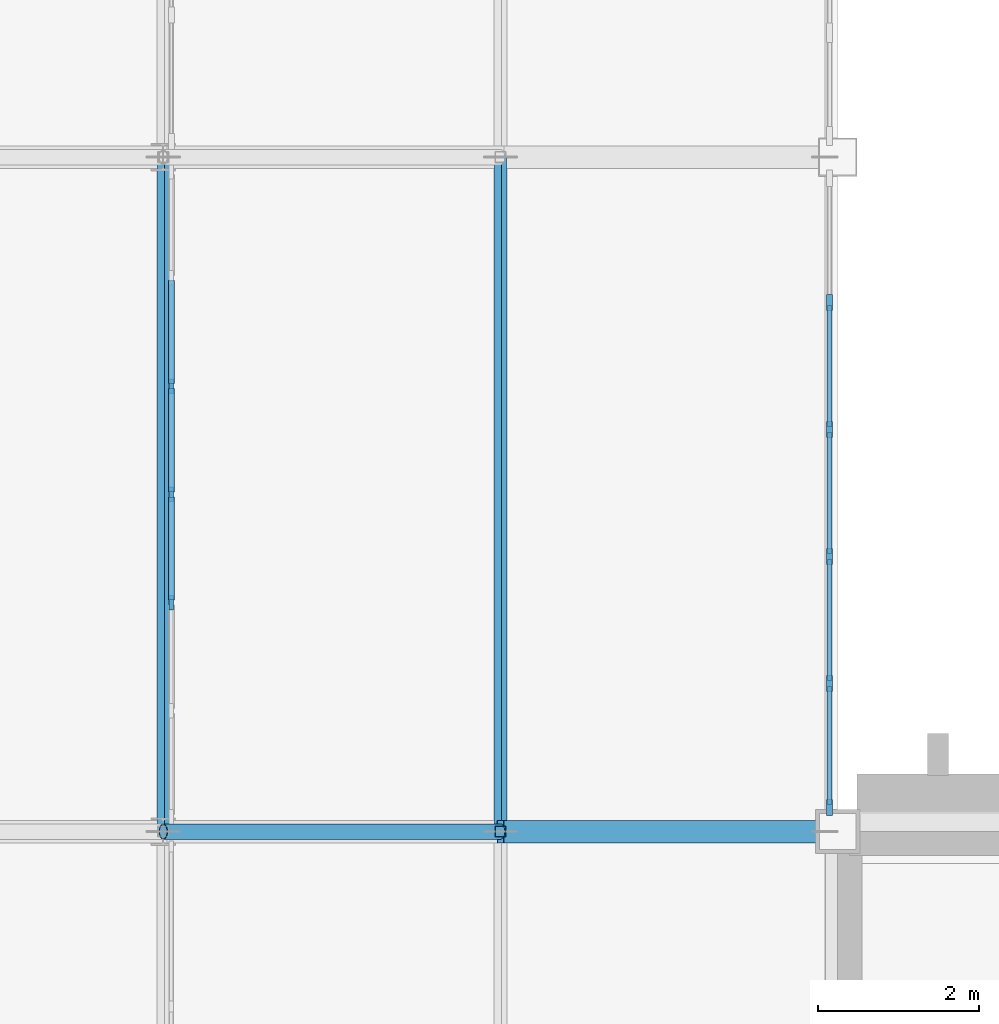
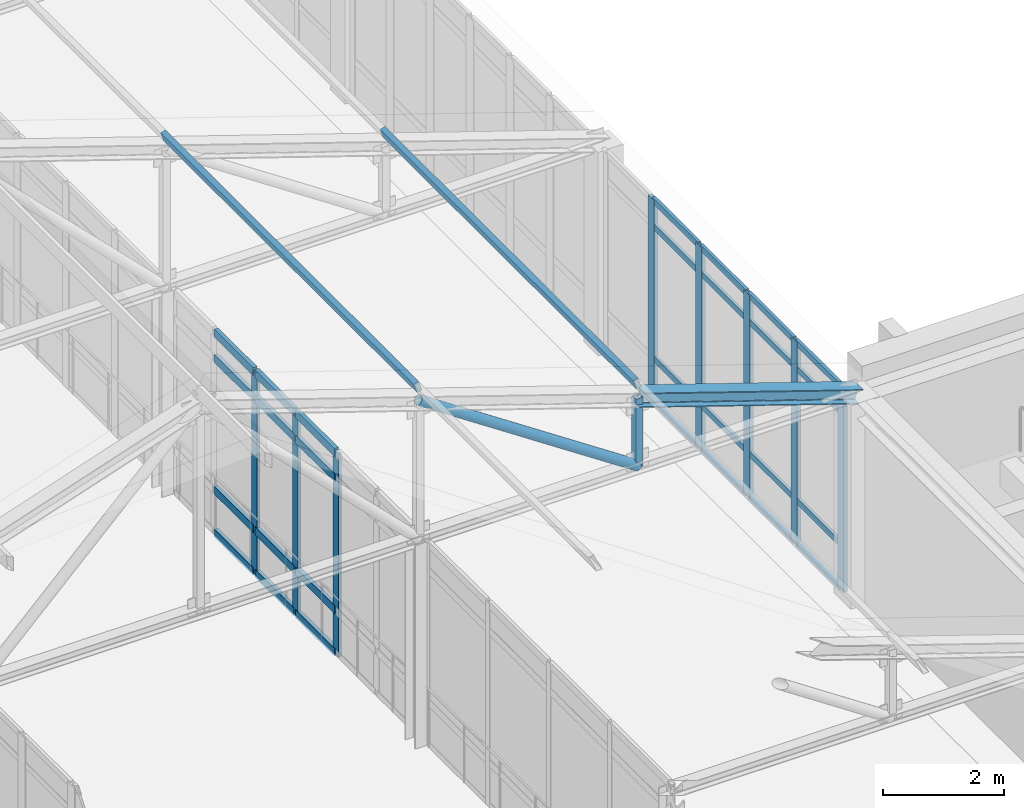
# One storey, part 58 of 192: 41 members, 2 elements without a shape of their own.
"""IFC4 building model written with IfcOpenShell, lengths in metres."""

from ifc_helpers import new_model, si_unit, direction, frame, origin, origin_2d, place, context, subcontext, project, spatial, rectangle, hollow_rectangle, hollow_circle, i_section, extrude, material, layer, layer_set, material_profile, profile_set, type_object, element, aggregate, save


model = new_model("IFC4")

# Units and contexts
model_context = context("Model", 3, precision=1e-05, world=origin(), true_north=direction((0.0, 1.0)))
body_context = subcontext(model_context, "Body", "Model", "MODEL_VIEW")
ifc_project = project(units=[si_unit("LENGTHUNIT", "METRE"), si_unit("AREAUNIT", "SQUARE_METRE"), si_unit("VOLUMEUNIT", "CUBIC_METRE"), si_unit("PLANEANGLEUNIT", "RADIAN"), si_unit("MASSUNIT", "GRAM", prefix="KILO")], contexts=[model_context])

# Site, building, storey
site_placement = place(None, origin())
site = spatial("IfcSite", under=ifc_project, at=site_placement, CompositionType="ELEMENT")
building_placement = place(site_placement, origin())
building = spatial("IfcBuilding", under=site, at=building_placement, Name="Kveldsbrygga Polytechnic", CompositionType="ELEMENT")
storey_placement = place(building_placement, frame((0.0, 0.0, 5.43994140625)))
storey = spatial("IfcBuildingStorey", under=building, at=storey_placement, Name="L01", CompositionType="ELEMENT", Elevation=5.43994140625)

# Curtain wall, members
ifc_material_1 = material(Name="Anodised aluminium AW-6060", Category="aluminium")
ifc_layer_1 = layer(ifc_material_1, 0.169921875)
ifc_layer_set_1 = layer_set([ifc_layer_1], Name="Anodised aluminium AW-6060")
curtain_wall_type_1 = type_object("IfcCurtainWallType", Name="CW-FOYR-F", PredefinedType="USERDEFINED", material=ifc_layer_set_1)
curtain_wall_1_placement = place(storey_placement, origin())
curtain_wall_1 = element("IfcCurtainWall", 1, at=curtain_wall_1_placement, inside=storey, type_object=curtain_wall_type_1, Name="Curtain Wall CW-L01-Y-08-03", ObjectType="STICK CURTAIN WALL", PredefinedType="USERDEFINED")
ifc_material_profile_1 = material_profile(ifc_material_1, rectangle(XDim=0.06005859375, YDim=0.179931640625, at=origin_2d()), Name="ALU 60x180")
ifc_profile_set_1 = profile_set([ifc_material_profile_1], Name="Anodised aluminium AW-6060")
member_type_1 = type_object("IfcMemberType", Name="CW-MUL-180", PredefinedType="MULLION", material=ifc_profile_set_1)
member_1_placement = place(storey_placement, frame((67.300048828125, 28.0517578125, 0.0), z_axis=(0.0, 0.0, 1.0), x_axis=(-1.0, 0.0, 0.0)))
member_1 = element("IfcMember", 2, at=member_1_placement, type_object=member_type_1, Name="CW-06 mullion 3", PredefinedType="MULLION", context=body_context, shape_type="SweptSolid", body=[
    extrude(rectangle(XDim=0.06005859375, YDim=0.179931640625, at=origin_2d()), origin(), (0.0, 0.0, 1.0), 4.1201171875),
])
member_2_placement = place(storey_placement, frame((67.300048828125, 29.39990234375, 0.0), z_axis=(0.0, 0.0, 1.0), x_axis=(-1.0, 0.0, 0.0)))
member_2 = element("IfcMember", 3, at=member_2_placement, type_object=member_type_1, Name="CW-06 mullion 4", PredefinedType="MULLION", context=body_context, shape_type="SweptSolid", body=[
    extrude(rectangle(XDim=0.06005859375, YDim=0.179931640625, at=origin_2d()), origin(), (0.0, 0.0, 1.0), 4.1201171875),
])
member_3_placement = place(storey_placement, frame((67.300048828125, 30.748291015625, 0.0), z_axis=(0.0, 0.0, 1.0), x_axis=(-1.0, 0.0, 0.0)))
member_3 = element("IfcMember", 4, at=member_3_placement, type_object=member_type_1, Name="CW-06 mullion 5", PredefinedType="MULLION", context=body_context, shape_type="SweptSolid", body=[
    extrude(rectangle(XDim=0.06005859375, YDim=0.179931640625, at=origin_2d()), origin(), (0.0, 0.0, 1.0), 4.1201171875),
])

ifc_layer_2 = layer(ifc_material_1, 0.18994140625)
ifc_layer_set_2 = layer_set([ifc_layer_2], Name="Anodised aluminium AW-6060")
curtain_wall_type_2 = type_object("IfcCurtainWallType", Name="CW-REFC-G", PredefinedType="USERDEFINED", material=ifc_layer_set_2)
curtain_wall_2_placement = place(storey_placement, origin())
curtain_wall_2 = element("IfcCurtainWall", 5, at=curtain_wall_2_placement, inside=storey, type_object=curtain_wall_type_2, Name="Curtain Wall CW-L01-Y-09-03", ObjectType="UNITISED CURTAIN WALL", PredefinedType="USERDEFINED")
ifc_material_profile_2 = material_profile(ifc_material_1, rectangle(XDim=0.074951171875, YDim=0.199951171875, at=origin_2d()), Name="ALU 75x200")
ifc_profile_set_2 = profile_set([ifc_material_profile_2], Name="Anodised aluminium AW-6060")
member_type_2 = type_object("IfcMemberType", Name="CW-MUL-200", PredefinedType="MULLION", material=ifc_profile_set_2)
member_4_placement = place(storey_placement, frame((75.5, 25.49755859375, 0.0), z_axis=(0.0, 0.0, 1.0), x_axis=(-1.0, 0.0, 0.0)))
member_4 = element("IfcMember", 6, at=member_4_placement, type_object=member_type_2, Name="CW-07 mullion 1", PredefinedType="MULLION", context=body_context, shape_type="SweptSolid", body=[
    extrude(rectangle(XDim=0.074951171875, YDim=0.199951171875, at=origin_2d()), origin(), (0.0, 0.0, 1.0), 4.1201171875),
])
member_5_placement = place(storey_placement, frame((75.5, 27.04296875, 0.0), z_axis=(0.0, 0.0, 1.0), x_axis=(-1.0, 0.0, 0.0)))
member_5 = element("IfcMember", 7, at=member_5_placement, type_object=member_type_2, Name="CW-07 mullion 2", PredefinedType="MULLION", context=body_context, shape_type="SweptSolid", body=[
    extrude(rectangle(XDim=0.074951171875, YDim=0.199951171875, at=origin_2d()), origin(), (0.0, 0.0, 1.0), 4.1201171875),
])
member_6_placement = place(storey_placement, frame((75.5, 28.6259765625, 0.0), z_axis=(0.0, 0.0, 1.0), x_axis=(-1.0, 0.0, 0.0)))
member_6 = element("IfcMember", 8, at=member_6_placement, type_object=member_type_2, Name="CW-07 mullion 3", PredefinedType="MULLION", context=body_context, shape_type="SweptSolid", body=[
    extrude(rectangle(XDim=0.074951171875, YDim=0.199951171875, at=origin_2d()), origin(), (0.0, 0.0, 1.0), 4.1201171875),
])
member_7_placement = place(storey_placement, frame((75.5, 30.208984375, 0.0), z_axis=(0.0, 0.0, 1.0), x_axis=(-1.0, 0.0, 0.0)))
member_7 = element("IfcMember", 9, at=member_7_placement, type_object=member_type_2, Name="CW-07 mullion 4", PredefinedType="MULLION", context=body_context, shape_type="SweptSolid", body=[
    extrude(rectangle(XDim=0.074951171875, YDim=0.199951171875, at=origin_2d()), origin(), (0.0, 0.0, 1.0), 4.1201171875),
])
member_8_placement = place(storey_placement, frame((75.5, 31.7919921875, 0.0), z_axis=(0.0, 0.0, 1.0), x_axis=(-1.0, 0.0, 0.0)))
member_8 = element("IfcMember", 10, at=member_8_placement, type_object=member_type_2, Name="CW-07 mullion 5", PredefinedType="MULLION", context=body_context, shape_type="SweptSolid", body=[
    extrude(rectangle(XDim=0.074951171875, YDim=0.199951171875, at=origin_2d()), origin(), (0.0, 0.0, 1.0), 4.1201171875),
])
ifc_material_profile_3 = material_profile(ifc_material_1, rectangle(XDim=0.06005859375, YDim=0.1201171875, at=origin_2d()), Name="ALU 60x120")
ifc_profile_set_3 = profile_set([ifc_material_profile_3], Name="Anodised aluminium AW-6060")
member_type_3 = type_object("IfcMemberType", Name="CW-TRN-120", PredefinedType="USERDEFINED", material=ifc_profile_set_3)
member_9_placement = place(storey_placement, frame((75.5, 25.534912109375, 0.030029296875), z_axis=(0.0, 1.0, 0.0), x_axis=(-1.0, 0.0, 0.0)))
member_9 = element("IfcMember", 11, at=member_9_placement, type_object=member_type_3, Name="CW-07 transom 1.1", ObjectType="TRANSOM", PredefinedType="USERDEFINED", context=body_context, shape_type="SweptSolid", body=[
    extrude(rectangle(XDim=0.06005859375, YDim=0.1201171875, at=origin_2d()), origin(), (0.0, 0.0, 1.0), 1.470703125),
])
member_10_placement = place(storey_placement, frame((75.5, 25.534912109375, 0.900146484375), z_axis=(0.0, 1.0, 0.0), x_axis=(-1.0, 0.0, 0.0)))
member_10 = element("IfcMember", 12, at=member_10_placement, type_object=member_type_3, Name="CW-07 transom 1.2", ObjectType="TRANSOM", PredefinedType="USERDEFINED", context=body_context, shape_type="SweptSolid", body=[
    extrude(rectangle(XDim=0.06005859375, YDim=0.1201171875, at=origin_2d()), origin(), (0.0, 0.0, 1.0), 1.470703125),
])
member_11_placement = place(storey_placement, frame((75.5, 25.534912109375, 3.570068359375), z_axis=(0.0, 1.0, 0.0), x_axis=(-1.0, 0.0, 0.0)))
member_11 = element("IfcMember", 13, at=member_11_placement, type_object=member_type_3, Name="CW-07 transom 1.3", ObjectType="TRANSOM", PredefinedType="USERDEFINED", context=body_context, shape_type="SweptSolid", body=[
    extrude(rectangle(XDim=0.06005859375, YDim=0.1201171875, at=origin_2d()), origin(), (0.0, 0.0, 1.0), 1.470703125),
])
member_12_placement = place(storey_placement, frame((75.5, 25.534912109375, 4.090087890625), z_axis=(0.0, 1.0, 0.0), x_axis=(-1.0, 0.0, 0.0)))
member_12 = element("IfcMember", 14, at=member_12_placement, type_object=member_type_3, Name="CW-07 transom 1.4", ObjectType="TRANSOM", PredefinedType="USERDEFINED", context=body_context, shape_type="SweptSolid", body=[
    extrude(rectangle(XDim=0.06005859375, YDim=0.1201171875, at=origin_2d()), origin(), (0.0, 0.0, 1.0), 1.470703125),
])
member_13_placement = place(storey_placement, frame((75.5, 27.08056640625, 0.030029296875), z_axis=(0.0, 1.0, 0.0), x_axis=(-1.0, 0.0, 0.0)))
member_13 = element("IfcMember", 15, at=member_13_placement, type_object=member_type_3, Name="CW-07 transom 2.1", ObjectType="TRANSOM", PredefinedType="USERDEFINED", context=body_context, shape_type="SweptSolid", body=[
    extrude(rectangle(XDim=0.06005859375, YDim=0.1201171875, at=origin_2d()), origin(), (0.0, 0.0, 1.0), 1.5078125),
])
member_14_placement = place(storey_placement, frame((75.5, 27.08056640625, 0.900146484375), z_axis=(0.0, 1.0, 0.0), x_axis=(-1.0, 0.0, 0.0)))
member_14 = element("IfcMember", 16, at=member_14_placement, type_object=member_type_3, Name="CW-07 transom 2.2", ObjectType="TRANSOM", PredefinedType="USERDEFINED", context=body_context, shape_type="SweptSolid", body=[
    extrude(rectangle(XDim=0.06005859375, YDim=0.1201171875, at=origin_2d()), origin(), (0.0, 0.0, 1.0), 1.5078125),
])
member_15_placement = place(storey_placement, frame((75.5, 27.08056640625, 3.570068359375), z_axis=(0.0, 1.0, 0.0), x_axis=(-1.0, 0.0, 0.0)))
member_15 = element("IfcMember", 17, at=member_15_placement, type_object=member_type_3, Name="CW-07 transom 2.3", ObjectType="TRANSOM", PredefinedType="USERDEFINED", context=body_context, shape_type="SweptSolid", body=[
    extrude(rectangle(XDim=0.06005859375, YDim=0.1201171875, at=origin_2d()), origin(), (0.0, 0.0, 1.0), 1.5078125),
])
member_16_placement = place(storey_placement, frame((75.5, 27.08056640625, 4.090087890625), z_axis=(0.0, 1.0, 0.0), x_axis=(-1.0, 0.0, 0.0)))
member_16 = element("IfcMember", 18, at=member_16_placement, type_object=member_type_3, Name="CW-07 transom 2.4", ObjectType="TRANSOM", PredefinedType="USERDEFINED", context=body_context, shape_type="SweptSolid", body=[
    extrude(rectangle(XDim=0.06005859375, YDim=0.1201171875, at=origin_2d()), origin(), (0.0, 0.0, 1.0), 1.5078125),
])
member_17_placement = place(storey_placement, frame((75.5, 28.66357421875, 0.030029296875), z_axis=(0.0, 1.0, 0.0), x_axis=(-1.0, 0.0, 0.0)))
member_17 = element("IfcMember", 19, at=member_17_placement, type_object=member_type_3, Name="CW-07 transom 3.1", ObjectType="TRANSOM", PredefinedType="USERDEFINED", context=body_context, shape_type="SweptSolid", body=[
    extrude(rectangle(XDim=0.06005859375, YDim=0.1201171875, at=origin_2d()), origin(), (0.0, 0.0, 1.0), 1.5078125),
])
member_18_placement = place(storey_placement, frame((75.5, 28.66357421875, 0.900146484375), z_axis=(0.0, 1.0, 0.0), x_axis=(-1.0, 0.0, 0.0)))
member_18 = element("IfcMember", 20, at=member_18_placement, type_object=member_type_3, Name="CW-07 transom 3.2", ObjectType="TRANSOM", PredefinedType="USERDEFINED", context=body_context, shape_type="SweptSolid", body=[
    extrude(rectangle(XDim=0.06005859375, YDim=0.1201171875, at=origin_2d()), origin(), (0.0, 0.0, 1.0), 1.5078125),
])
member_19_placement = place(storey_placement, frame((75.5, 28.66357421875, 3.570068359375), z_axis=(0.0, 1.0, 0.0), x_axis=(-1.0, 0.0, 0.0)))
member_19 = element("IfcMember", 21, at=member_19_placement, type_object=member_type_3, Name="CW-07 transom 3.3", ObjectType="TRANSOM", PredefinedType="USERDEFINED", context=body_context, shape_type="SweptSolid", body=[
    extrude(rectangle(XDim=0.06005859375, YDim=0.1201171875, at=origin_2d()), origin(), (0.0, 0.0, 1.0), 1.5078125),
])
member_20_placement = place(storey_placement, frame((75.5, 28.66357421875, 4.090087890625), z_axis=(0.0, 1.0, 0.0), x_axis=(-1.0, 0.0, 0.0)))
member_20 = element("IfcMember", 22, at=member_20_placement, type_object=member_type_3, Name="CW-07 transom 3.4", ObjectType="TRANSOM", PredefinedType="USERDEFINED", context=body_context, shape_type="SweptSolid", body=[
    extrude(rectangle(XDim=0.06005859375, YDim=0.1201171875, at=origin_2d()), origin(), (0.0, 0.0, 1.0), 1.5078125),
])
member_21_placement = place(storey_placement, frame((75.5, 30.24658203125, 0.030029296875), z_axis=(0.0, 1.0, 0.0), x_axis=(-1.0, 0.0, 0.0)))
member_21 = element("IfcMember", 23, at=member_21_placement, type_object=member_type_3, Name="CW-07 transom 4.1", ObjectType="TRANSOM", PredefinedType="USERDEFINED", context=body_context, shape_type="SweptSolid", body=[
    extrude(rectangle(XDim=0.06005859375, YDim=0.1201171875, at=origin_2d()), origin(), (0.0, 0.0, 1.0), 1.5078125),
])
member_22_placement = place(storey_placement, frame((75.5, 30.24658203125, 0.900146484375), z_axis=(0.0, 1.0, 0.0), x_axis=(-1.0, 0.0, 0.0)))
member_22 = element("IfcMember", 24, at=member_22_placement, type_object=member_type_3, Name="CW-07 transom 4.2", ObjectType="TRANSOM", PredefinedType="USERDEFINED", context=body_context, shape_type="SweptSolid", body=[
    extrude(rectangle(XDim=0.06005859375, YDim=0.1201171875, at=origin_2d()), origin(), (0.0, 0.0, 1.0), 1.5078125),
])
member_23_placement = place(storey_placement, frame((75.5, 30.24658203125, 3.570068359375), z_axis=(0.0, 1.0, 0.0), x_axis=(-1.0, 0.0, 0.0)))
member_23 = element("IfcMember", 25, at=member_23_placement, type_object=member_type_3, Name="CW-07 transom 4.3", ObjectType="TRANSOM", PredefinedType="USERDEFINED", context=body_context, shape_type="SweptSolid", body=[
    extrude(rectangle(XDim=0.06005859375, YDim=0.1201171875, at=origin_2d()), origin(), (0.0, 0.0, 1.0), 1.5078125),
])
member_24_placement = place(storey_placement, frame((75.5, 30.24658203125, 4.090087890625), z_axis=(0.0, 1.0, 0.0), x_axis=(-1.0, 0.0, 0.0)))
member_24 = element("IfcMember", 26, at=member_24_placement, type_object=member_type_3, Name="CW-07 transom 4.4", ObjectType="TRANSOM", PredefinedType="USERDEFINED", context=body_context, shape_type="SweptSolid", body=[
    extrude(rectangle(XDim=0.06005859375, YDim=0.1201171875, at=origin_2d()), origin(), (0.0, 0.0, 1.0), 1.5078125),
])
aggregate(curtain_wall_2, [member_4, member_5, member_6, member_7, member_8, member_9, member_10, member_11, member_12, member_13, member_14, member_15, member_16, member_17, member_18, member_19, member_20, member_21, member_22, member_23, member_24])

# Member
ifc_material_profile_4 = material_profile(ifc_material_1, rectangle(XDim=0.074951171875, YDim=0.159912109375, at=origin_2d()), Name="ALU 75x160")
ifc_profile_set_4 = profile_set([ifc_material_profile_4], Name="Anodised aluminium AW-6060")
member_type_4 = type_object("IfcMemberType", Name="CW-TRN-160", PredefinedType="USERDEFINED", material=ifc_profile_set_4)
member_25_placement = place(storey_placement, frame((67.300048828125, 28.081787109375, 0.03759765625), z_axis=(0.0, 1.0, 0.0), x_axis=(-1.0, 0.0, 0.0)))
member_25 = element("IfcMember", 27, at=member_25_placement, type_object=member_type_4, Name="CW-06 transom 3.1", ObjectType="TRANSOM", PredefinedType="USERDEFINED", context=body_context, shape_type="SweptSolid", body=[
    extrude(rectangle(XDim=0.074951171875, YDim=0.159912109375, at=origin_2d()), origin(), (0.0, 0.0, 1.0), 1.288330078125),
])

member_26_placement = place(storey_placement, frame((67.300048828125, 28.081787109375, 0.900146484375), z_axis=(0.0, 1.0, 0.0), x_axis=(-1.0, 0.0, 0.0)))
member_26 = element("IfcMember", 28, at=member_26_placement, type_object=member_type_4, Name="CW-06 transom 3.2", ObjectType="TRANSOM", PredefinedType="USERDEFINED", context=body_context, shape_type="SweptSolid", body=[
    extrude(rectangle(XDim=0.074951171875, YDim=0.159912109375, at=origin_2d()), origin(), (0.0, 0.0, 1.0), 1.288330078125),
])

member_27_placement = place(storey_placement, frame((67.300048828125, 28.081787109375, 3.570068359375), z_axis=(0.0, 1.0, 0.0), x_axis=(-1.0, 0.0, 0.0)))
member_27 = element("IfcMember", 29, at=member_27_placement, type_object=member_type_4, Name="CW-06 transom 3.3", ObjectType="TRANSOM", PredefinedType="USERDEFINED", context=body_context, shape_type="SweptSolid", body=[
    extrude(rectangle(XDim=0.074951171875, YDim=0.159912109375, at=origin_2d()), origin(), (0.0, 0.0, 1.0), 1.288330078125),
])

member_28_placement = place(storey_placement, frame((67.300048828125, 28.081787109375, 4.08251953125), z_axis=(0.0, 1.0, 0.0), x_axis=(-1.0, 0.0, 0.0)))
member_28 = element("IfcMember", 30, at=member_28_placement, type_object=member_type_4, Name="CW-06 transom 3.4", ObjectType="TRANSOM", PredefinedType="USERDEFINED", context=body_context, shape_type="SweptSolid", body=[
    extrude(rectangle(XDim=0.074951171875, YDim=0.159912109375, at=origin_2d()), origin(), (0.0, 0.0, 1.0), 1.288330078125),
])

member_29_placement = place(storey_placement, frame((67.300048828125, 29.429931640625, 0.03759765625), z_axis=(0.0, 1.0, 0.0), x_axis=(-1.0, 0.0, 0.0)))
member_29 = element("IfcMember", 31, at=member_29_placement, type_object=member_type_4, Name="CW-06 transom 4.1", ObjectType="TRANSOM", PredefinedType="USERDEFINED", context=body_context, shape_type="SweptSolid", body=[
    extrude(rectangle(XDim=0.074951171875, YDim=0.159912109375, at=origin_2d()), origin(), (0.0, 0.0, 1.0), 1.288330078125),
])

member_30_placement = place(storey_placement, frame((67.300048828125, 29.429931640625, 0.900146484375), z_axis=(0.0, 1.0, 0.0), x_axis=(-1.0, 0.0, 0.0)))
member_30 = element("IfcMember", 32, at=member_30_placement, type_object=member_type_4, Name="CW-06 transom 4.2", ObjectType="TRANSOM", PredefinedType="USERDEFINED", context=body_context, shape_type="SweptSolid", body=[
    extrude(rectangle(XDim=0.074951171875, YDim=0.159912109375, at=origin_2d()), origin(), (0.0, 0.0, 1.0), 1.288330078125),
])

member_31_placement = place(storey_placement, frame((67.300048828125, 29.429931640625, 3.570068359375), z_axis=(0.0, 1.0, 0.0), x_axis=(-1.0, 0.0, 0.0)))
member_31 = element("IfcMember", 33, at=member_31_placement, type_object=member_type_4, Name="CW-06 transom 4.3", ObjectType="TRANSOM", PredefinedType="USERDEFINED", context=body_context, shape_type="SweptSolid", body=[
    extrude(rectangle(XDim=0.074951171875, YDim=0.159912109375, at=origin_2d()), origin(), (0.0, 0.0, 1.0), 1.288330078125),
])

member_32_placement = place(storey_placement, frame((67.300048828125, 29.429931640625, 4.08251953125), z_axis=(0.0, 1.0, 0.0), x_axis=(-1.0, 0.0, 0.0)))
member_32 = element("IfcMember", 34, at=member_32_placement, type_object=member_type_4, Name="CW-06 transom 4.4", ObjectType="TRANSOM", PredefinedType="USERDEFINED", context=body_context, shape_type="SweptSolid", body=[
    extrude(rectangle(XDim=0.074951171875, YDim=0.159912109375, at=origin_2d()), origin(), (0.0, 0.0, 1.0), 1.288330078125),
])

member_33_placement = place(storey_placement, frame((67.300048828125, 30.7783203125, 0.03759765625), z_axis=(0.0, 1.0, 0.0), x_axis=(-1.0, 0.0, 0.0)))
member_33 = element("IfcMember", 35, at=member_33_placement, type_object=member_type_4, Name="CW-06 transom 5.1", ObjectType="TRANSOM", PredefinedType="USERDEFINED", context=body_context, shape_type="SweptSolid", body=[
    extrude(rectangle(XDim=0.074951171875, YDim=0.159912109375, at=origin_2d()), origin(), (0.0, 0.0, 1.0), 1.288330078125),
])

member_34_placement = place(storey_placement, frame((67.300048828125, 30.7783203125, 0.900146484375), z_axis=(0.0, 1.0, 0.0), x_axis=(-1.0, 0.0, 0.0)))
member_34 = element("IfcMember", 36, at=member_34_placement, type_object=member_type_4, Name="CW-06 transom 5.2", ObjectType="TRANSOM", PredefinedType="USERDEFINED", context=body_context, shape_type="SweptSolid", body=[
    extrude(rectangle(XDim=0.074951171875, YDim=0.159912109375, at=origin_2d()), origin(), (0.0, 0.0, 1.0), 1.288330078125),
])

member_35_placement = place(storey_placement, frame((67.300048828125, 30.7783203125, 3.570068359375), z_axis=(0.0, 1.0, 0.0), x_axis=(-1.0, 0.0, 0.0)))
member_35 = element("IfcMember", 37, at=member_35_placement, type_object=member_type_4, Name="CW-06 transom 5.3", ObjectType="TRANSOM", PredefinedType="USERDEFINED", context=body_context, shape_type="SweptSolid", body=[
    extrude(rectangle(XDim=0.074951171875, YDim=0.159912109375, at=origin_2d()), origin(), (0.0, 0.0, 1.0), 1.288330078125),
])

member_36_placement = place(storey_placement, frame((67.300048828125, 30.7783203125, 4.08251953125), z_axis=(0.0, 1.0, 0.0), x_axis=(-1.0, 0.0, 0.0)))
member_36 = element("IfcMember", 38, at=member_36_placement, type_object=member_type_4, Name="CW-06 transom 5.4", ObjectType="TRANSOM", PredefinedType="USERDEFINED", context=body_context, shape_type="SweptSolid", body=[
    extrude(rectangle(XDim=0.074951171875, YDim=0.159912109375, at=origin_2d()), origin(), (0.0, 0.0, 1.0), 1.288330078125),
])

aggregate(curtain_wall_1, [member_1, member_2, member_3, member_25, member_26, member_27, member_28, member_29, member_30, member_31, member_32, member_33, member_34, member_35, member_36])

# Members
ifc_material_2 = material(Name="Steel S355", Category="steel")
ifc_material_profile_5 = material_profile(ifc_material_2, hollow_rectangle(XDim=0.10009765625, YDim=0.199951171875, WallThickness=0.010009765625, at=origin_2d()), Name="RHS 200x100x10.0")
ifc_profile_set_5 = profile_set([ifc_material_profile_5], Name="Steel S355")
member_type_5 = type_object("IfcMemberType", Name="PRL-RHS200", PredefinedType="PURLIN", material=ifc_profile_set_5)
for number, where, z_axis, x_axis, name in (
    (39, (67.199951171875, 25.199951171875, 7.173095703125), (0.0, 1.0, 0.0), (-0.948683567514, 0.0, -0.316226957624), "Roof Purlin V5C-PRL-3-4"),
    (40, (71.39990234375, 25.199951171875, 5.77294921875), (0.0, 1.0, 0.0), (-0.948683567514, 0.0, -0.316226957624), "Roof Purlin V5C-PRL-3-5"),
):
    element("IfcMember", number, at=place(storey_placement, frame(where, z_axis=z_axis, x_axis=x_axis)), inside=storey, type_object=member_type_5, Name=name, PredefinedType="PURLIN", context=body_context, shape_type="SweptSolid", body=[
        extrude(hollow_rectangle(XDim=0.10009765625, YDim=0.199951171875, WallThickness=0.010009765625, at=origin_2d()), origin(), (0.0, 0.0, 1.0), 8.400146484375),
    ])
ifc_material_profile_6 = material_profile(ifc_material_2, hollow_circle(Radius=0.096923828125, WallThickness=0.010009765625, at=origin_2d()), Name="CHS 193.7x10.0")
ifc_profile_set_6 = profile_set([ifc_material_profile_6], Name="Steel S355")
member_type_6 = type_object("IfcMemberType", Name="TR-DIAG-CHS194", PredefinedType="BRACE", material=ifc_profile_set_6)
member_37_placement = place(storey_placement, frame((67.199951171875, 25.199951171875, 6.920166015625), z_axis=(0.832042853317, 0.0, -0.554711357594), x_axis=(0.0, 1.0, 0.0)))
element("IfcMember", 41, at=member_37_placement, inside=storey, type_object=member_type_6, Name="Truss Diagonal V5C-T03-DG-5", PredefinedType="BRACE", context=body_context, shape_type="SweptSolid", body=[
    extrude(hollow_circle(Radius=0.096923828125, WallThickness=0.010009765625, at=origin_2d()), origin(), (0.0, 0.0, 1.0), 5.0478515625),
])
ifc_material_profile_7 = material_profile(ifc_material_2, hollow_rectangle(XDim=0.139892578125, YDim=0.139892578125, WallThickness=0.008056640625, at=origin_2d()), Name="SHS 140x140x8.0")
ifc_profile_set_7 = profile_set([ifc_material_profile_7], Name="Steel S355")
member_type_7 = type_object("IfcMemberType", Name="TR-POST-SHS140", PredefinedType="STRUT", material=ifc_profile_set_7)
member_38_placement = place(storey_placement, frame((71.39990234375, 25.199951171875, 4.1201171875), z_axis=(0.0, 0.0, 1.0), x_axis=(1.0, 0.0, 0.0)))
element("IfcMember", 42, at=member_38_placement, inside=storey, type_object=member_type_7, Name="Truss Vertical V5C-T03-VT-5", PredefinedType="STRUT", context=body_context, shape_type="SweptSolid", body=[
    extrude(hollow_rectangle(XDim=0.139892578125, YDim=0.139892578125, WallThickness=0.008056640625, at=origin_2d()), origin(), (0.0, 0.0, 1.0), 1.39990234375),
])
ifc_material_profile_8 = material_profile(ifc_material_2, i_section(OverallWidth=0.280029296875, OverallDepth=0.280029296875, WebThickness=0.010498046875, FlangeThickness=0.01806640625, FilletRadius=0.02392578125, at=origin_2d()), Name="HEB 280")
ifc_profile_set_8 = profile_set([ifc_material_profile_8], Name="Steel S355")
member_type_8 = type_object("IfcMemberType", Name="TR-TOP-HEB280", PredefinedType="CHORD", material=ifc_profile_set_8)
member_39_placement = place(storey_placement, frame((71.39990234375, 25.199951171875, 5.52001953125), z_axis=(0.948694326238, 0.0, -0.316194679531), x_axis=(0.0, 1.0, 0.0)))
element("IfcMember", 43, at=member_39_placement, inside=storey, type_object=member_type_8, Name="Truss Top Chord V5C-T03-TC-6", PredefinedType="CHORD", context=body_context, shape_type="SweptSolid", body=[
    extrude(i_section(OverallWidth=0.280029296875, OverallDepth=0.280029296875, WebThickness=0.010498046875, FlangeThickness=0.01806640625, FilletRadius=0.02392578125, at=origin_2d()), origin(), (0.0, 0.0, 1.0), 4.42724609375),
])

save(model, "model.ifc")
